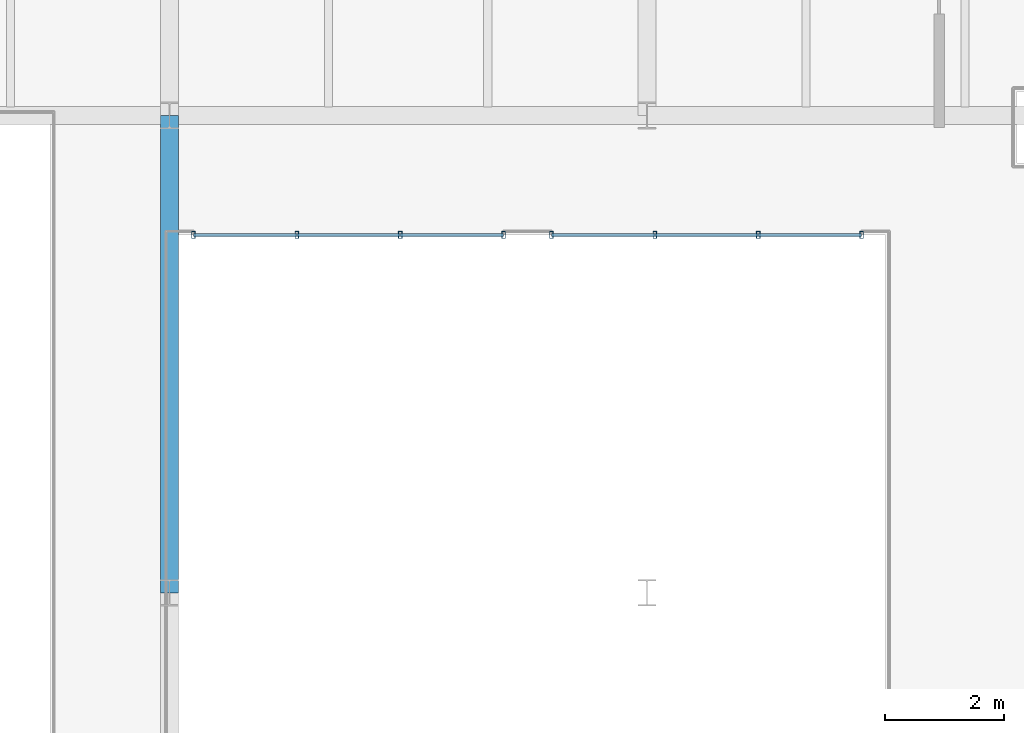
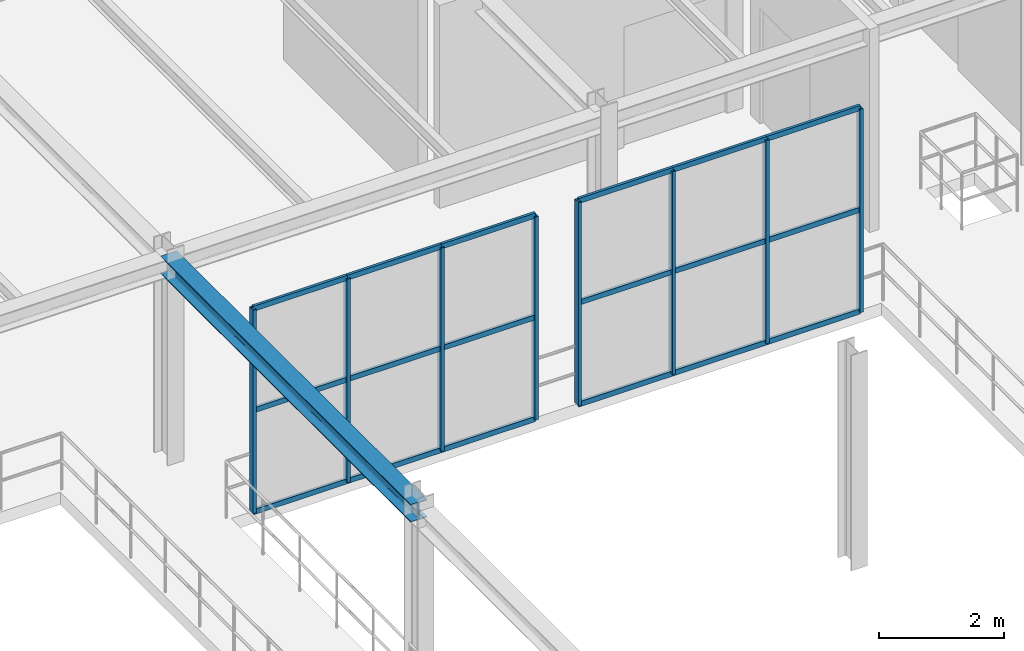
# One storey, part 65 of 124: 26 members, 1 beam, 2 elements without a shape of their own.
"""IFC4 building model written with IfcOpenShell, lengths in metres."""

from ifc_helpers import new_model, si_unit, direction, frame, origin, origin_2d, place, context, subcontext, project, spatial, hollow_rectangle, i_section, extrude, material, material_profile, profile_set, type_object, element, aggregate, save


model = new_model("IFC4")

# Units and contexts
model_context = context("Model", 3, precision=1e-05, world=origin(), true_north=direction((0.0, 1.0)))
body_context = subcontext(model_context, "Body", "Model", "MODEL_VIEW")
ifc_project = project(units=[si_unit("LENGTHUNIT", "METRE"), si_unit("AREAUNIT", "SQUARE_METRE"), si_unit("VOLUMEUNIT", "CUBIC_METRE"), si_unit("PLANEANGLEUNIT", "RADIAN"), si_unit("MASSUNIT", "GRAM", prefix="KILO")], contexts=[model_context])

# Site, building, storey
site_placement = place(None, origin())
site = spatial("IfcSite", under=ifc_project, at=site_placement, CompositionType="ELEMENT")
building_placement = place(site_placement, origin())
building = spatial("IfcBuilding", under=site, at=building_placement, Name="Sundkrona Museum", CompositionType="ELEMENT")
storey_placement = place(building_placement, frame((0.0, 0.0, 17.60009765625)))
storey = spatial("IfcBuildingStorey", under=building, at=storey_placement, Name="L03", CompositionType="ELEMENT", Elevation=17.60009765625)

# Beam
ifc_material_1 = material(Name="Steel S355J2", Category="steel")
ifc_material_profile_1 = material_profile(ifc_material_1, i_section(OverallWidth=0.300048828125, OverallDepth=0.35009765625, WebThickness=0.010009765625, FlangeThickness=0.017578125, FilletRadius=0.027099609375, at=origin_2d()), Name="HEA 360")
ifc_profile_set_1 = profile_set([ifc_material_profile_1], Name="Steel S355J2")
beam_type = type_object("IfcBeamType", Name="B-HEA360", PredefinedType="BEAM", material=ifc_profile_set_1)
beam_placement = place(storey_placement, frame((136.0, 24.0, 3.784912109375), z_axis=(0.0, 1.0, 0.0), x_axis=(-1.0, 0.0, 0.0)))
element("IfcBeam", 1, at=beam_placement, inside=storey, type_object=beam_type, Name="L03 Girder Y-1635", PredefinedType="BEAM", context=body_context, shape_type="SweptSolid", body=[
    extrude(i_section(OverallWidth=0.300048828125, OverallDepth=0.35009765625, WebThickness=0.010009765625, FlangeThickness=0.017578125, FilletRadius=0.027099609375, at=origin_2d()), origin(), (0.0, 0.0, 1.0), 8.0),
])

# Curtain wall, members
ifc_material_2 = material(Name="Unitised Aluminium-Steel and Ceramic-Clad Curtain Walling", Category="steel")
curtain_wall_type = type_object("IfcCurtainWallType", Name="CW-SC-52x38", PredefinedType="NOTDEFINED", material=ifc_material_2)
curtain_wall_1_placement = place(storey_placement, origin())
curtain_wall_1 = element("IfcCurtainWall", 2, at=curtain_wall_1_placement, inside=storey, type_object=curtain_wall_type, Name="L03 Curtain Wall CW-L03-010", PredefinedType="NOTDEFINED")
ifc_material_3 = material(Name="Aluminium EN AW-6060 T66", Category="aluminium")
ifc_material_profile_2 = material_profile(ifc_material_3, hollow_rectangle(XDim=0.06005859375, YDim=0.1201171875, WallThickness=0.0048828125, at=origin_2d()), Name="RHS 120x60x5.0")
ifc_profile_set_2 = profile_set([ifc_material_profile_2], Name="Aluminium EN AW-6060 T66")
member_type_1 = type_object("IfcMemberType", Name="ML-120", PredefinedType="MULLION", material=ifc_profile_set_2)
member_1_placement = place(storey_placement, frame((136.39990234375, 30.0, -0.004150390625), z_axis=(0.0, 0.0, 1.0), x_axis=(1.0, 0.0, 0.0)))
member_1 = element("IfcMember", 3, at=member_1_placement, type_object=member_type_1, Name="CW-L03-010 Mullion 01", PredefinedType="MULLION", context=body_context, shape_type="SweptSolid", body=[
    extrude(hollow_rectangle(XDim=0.06005859375, YDim=0.1201171875, WallThickness=0.0048828125, at=origin_2d()), origin(), (0.0, 0.0, 1.0), 3.968017578125),
])
member_2_placement = place(storey_placement, frame((138.13330078125, 30.0, -0.004150390625), z_axis=(0.0, 0.0, 1.0), x_axis=(1.0, 0.0, 0.0)))
member_2 = element("IfcMember", 4, at=member_2_placement, type_object=member_type_1, Name="CW-L03-010 Mullion 02", PredefinedType="MULLION", context=body_context, shape_type="SweptSolid", body=[
    extrude(hollow_rectangle(XDim=0.06005859375, YDim=0.1201171875, WallThickness=0.0048828125, at=origin_2d()), origin(), (0.0, 0.0, 1.0), 3.968017578125),
])
member_3_placement = place(storey_placement, frame((139.86669921875, 30.0, -0.004150390625), z_axis=(0.0, 0.0, 1.0), x_axis=(1.0, 0.0, 0.0)))
member_3 = element("IfcMember", 5, at=member_3_placement, type_object=member_type_1, Name="CW-L03-010 Mullion 03", PredefinedType="MULLION", context=body_context, shape_type="SweptSolid", body=[
    extrude(hollow_rectangle(XDim=0.06005859375, YDim=0.1201171875, WallThickness=0.0048828125, at=origin_2d()), origin(), (0.0, 0.0, 1.0), 3.968017578125),
])
member_4_placement = place(storey_placement, frame((141.60009765625, 30.0, -0.004150390625), z_axis=(0.0, 0.0, 1.0), x_axis=(1.0, 0.0, 0.0)))
member_4 = element("IfcMember", 6, at=member_4_placement, type_object=member_type_1, Name="CW-L03-010 Mullion 04", PredefinedType="MULLION", context=body_context, shape_type="SweptSolid", body=[
    extrude(hollow_rectangle(XDim=0.06005859375, YDim=0.1201171875, WallThickness=0.0048828125, at=origin_2d()), origin(), (0.0, 0.0, 1.0), 3.968017578125),
])

curtain_wall_2_placement = place(storey_placement, origin())
curtain_wall_2 = element("IfcCurtainWall", 7, at=curtain_wall_2_placement, inside=storey, type_object=curtain_wall_type, Name="L03 Curtain Wall CW-L03-012", PredefinedType="NOTDEFINED")
member_5_placement = place(storey_placement, frame((142.39990234375, 30.0, -0.004150390625), z_axis=(0.0, 0.0, 1.0), x_axis=(1.0, 0.0, 0.0)))
member_5 = element("IfcMember", 8, at=member_5_placement, type_object=member_type_1, Name="CW-L03-012 Mullion 01", PredefinedType="MULLION", context=body_context, shape_type="SweptSolid", body=[
    extrude(hollow_rectangle(XDim=0.06005859375, YDim=0.1201171875, WallThickness=0.0048828125, at=origin_2d()), origin(), (0.0, 0.0, 1.0), 3.968017578125),
])
member_6_placement = place(storey_placement, frame((144.13330078125, 30.0, -0.004150390625), z_axis=(0.0, 0.0, 1.0), x_axis=(1.0, 0.0, 0.0)))
member_6 = element("IfcMember", 9, at=member_6_placement, type_object=member_type_1, Name="CW-L03-012 Mullion 02", PredefinedType="MULLION", context=body_context, shape_type="SweptSolid", body=[
    extrude(hollow_rectangle(XDim=0.06005859375, YDim=0.1201171875, WallThickness=0.0048828125, at=origin_2d()), origin(), (0.0, 0.0, 1.0), 3.968017578125),
])
member_7_placement = place(storey_placement, frame((145.86669921875, 30.0, -0.004150390625), z_axis=(0.0, 0.0, 1.0), x_axis=(1.0, 0.0, 0.0)))
member_7 = element("IfcMember", 10, at=member_7_placement, type_object=member_type_1, Name="CW-L03-012 Mullion 03", PredefinedType="MULLION", context=body_context, shape_type="SweptSolid", body=[
    extrude(hollow_rectangle(XDim=0.06005859375, YDim=0.1201171875, WallThickness=0.0048828125, at=origin_2d()), origin(), (0.0, 0.0, 1.0), 3.968017578125),
])
member_8_placement = place(storey_placement, frame((147.60009765625, 30.0, -0.004150390625), z_axis=(0.0, 0.0, 1.0), x_axis=(1.0, 0.0, 0.0)))
member_8 = element("IfcMember", 11, at=member_8_placement, type_object=member_type_1, Name="CW-L03-012 Mullion 04", PredefinedType="MULLION", context=body_context, shape_type="SweptSolid", body=[
    extrude(hollow_rectangle(XDim=0.06005859375, YDim=0.1201171875, WallThickness=0.0048828125, at=origin_2d()), origin(), (0.0, 0.0, 1.0), 3.968017578125),
])

# Member
ifc_material_profile_3 = material_profile(ifc_material_3, hollow_rectangle(XDim=0.050048828125, YDim=0.10009765625, WallThickness=0.0048828125, at=origin_2d()), Name="RHS 100x50x5.0")
ifc_profile_set_3 = profile_set([ifc_material_profile_3], Name="Aluminium EN AW-6060 T66")
member_type_2 = type_object("IfcMemberType", Name="TR-100", PredefinedType="USERDEFINED", material=ifc_profile_set_3)
member_9_placement = place(storey_placement, frame((136.39990234375, 30.0, -0.004150390625), z_axis=(1.0, 0.0, 0.0), x_axis=(0.0, 1.0, 0.0)))
member_9 = element("IfcMember", 12, at=member_9_placement, type_object=member_type_2, Name="CW-L03-010 Transom 01", ObjectType="TRANSOM", PredefinedType="USERDEFINED", context=body_context, shape_type="SweptSolid", body=[
    extrude(hollow_rectangle(XDim=0.050048828125, YDim=0.10009765625, WallThickness=0.0048828125, at=origin_2d()), origin(), (0.0, 0.0, 1.0), 1.7333984375),
])

member_10_placement = place(storey_placement, frame((136.39990234375, 30.0, 1.97998046875), z_axis=(1.0, 0.0, 0.0), x_axis=(0.0, 1.0, 0.0)))
member_10 = element("IfcMember", 13, at=member_10_placement, type_object=member_type_2, Name="CW-L03-010 Transom 02", ObjectType="TRANSOM", PredefinedType="USERDEFINED", context=body_context, shape_type="SweptSolid", body=[
    extrude(hollow_rectangle(XDim=0.050048828125, YDim=0.10009765625, WallThickness=0.0048828125, at=origin_2d()), origin(), (0.0, 0.0, 1.0), 1.7333984375),
])

member_11_placement = place(storey_placement, frame((136.39990234375, 30.0, 3.9638671875), z_axis=(1.0, 0.0, 0.0), x_axis=(0.0, 1.0, 0.0)))
member_11 = element("IfcMember", 14, at=member_11_placement, type_object=member_type_2, Name="CW-L03-010 Transom 03", ObjectType="TRANSOM", PredefinedType="USERDEFINED", context=body_context, shape_type="SweptSolid", body=[
    extrude(hollow_rectangle(XDim=0.050048828125, YDim=0.10009765625, WallThickness=0.0048828125, at=origin_2d()), origin(), (0.0, 0.0, 1.0), 1.7333984375),
])

member_12_placement = place(storey_placement, frame((138.13330078125, 30.0, -0.004150390625), z_axis=(1.0, 0.0, 0.0), x_axis=(0.0, 1.0, 0.0)))
member_12 = element("IfcMember", 15, at=member_12_placement, type_object=member_type_2, Name="CW-L03-010 Transom 04", ObjectType="TRANSOM", PredefinedType="USERDEFINED", context=body_context, shape_type="SweptSolid", body=[
    extrude(hollow_rectangle(XDim=0.050048828125, YDim=0.10009765625, WallThickness=0.0048828125, at=origin_2d()), origin(), (0.0, 0.0, 1.0), 1.7333984375),
])

member_13_placement = place(storey_placement, frame((138.13330078125, 30.0, 1.97998046875), z_axis=(1.0, 0.0, 0.0), x_axis=(0.0, 1.0, 0.0)))
member_13 = element("IfcMember", 16, at=member_13_placement, type_object=member_type_2, Name="CW-L03-010 Transom 05", ObjectType="TRANSOM", PredefinedType="USERDEFINED", context=body_context, shape_type="SweptSolid", body=[
    extrude(hollow_rectangle(XDim=0.050048828125, YDim=0.10009765625, WallThickness=0.0048828125, at=origin_2d()), origin(), (0.0, 0.0, 1.0), 1.7333984375),
])

member_14_placement = place(storey_placement, frame((138.13330078125, 30.0, 3.9638671875), z_axis=(1.0, 0.0, 0.0), x_axis=(0.0, 1.0, 0.0)))
member_14 = element("IfcMember", 17, at=member_14_placement, type_object=member_type_2, Name="CW-L03-010 Transom 06", ObjectType="TRANSOM", PredefinedType="USERDEFINED", context=body_context, shape_type="SweptSolid", body=[
    extrude(hollow_rectangle(XDim=0.050048828125, YDim=0.10009765625, WallThickness=0.0048828125, at=origin_2d()), origin(), (0.0, 0.0, 1.0), 1.7333984375),
])

member_15_placement = place(storey_placement, frame((139.86669921875, 30.0, -0.004150390625), z_axis=(1.0, 0.0, 0.0), x_axis=(0.0, 1.0, 0.0)))
member_15 = element("IfcMember", 18, at=member_15_placement, type_object=member_type_2, Name="CW-L03-010 Transom 07", ObjectType="TRANSOM", PredefinedType="USERDEFINED", context=body_context, shape_type="SweptSolid", body=[
    extrude(hollow_rectangle(XDim=0.050048828125, YDim=0.10009765625, WallThickness=0.0048828125, at=origin_2d()), origin(), (0.0, 0.0, 1.0), 1.7333984375),
])

member_16_placement = place(storey_placement, frame((139.86669921875, 30.0, 1.97998046875), z_axis=(1.0, 0.0, 0.0), x_axis=(0.0, 1.0, 0.0)))
member_16 = element("IfcMember", 19, at=member_16_placement, type_object=member_type_2, Name="CW-L03-010 Transom 08", ObjectType="TRANSOM", PredefinedType="USERDEFINED", context=body_context, shape_type="SweptSolid", body=[
    extrude(hollow_rectangle(XDim=0.050048828125, YDim=0.10009765625, WallThickness=0.0048828125, at=origin_2d()), origin(), (0.0, 0.0, 1.0), 1.7333984375),
])

member_17_placement = place(storey_placement, frame((139.86669921875, 30.0, 3.9638671875), z_axis=(1.0, 0.0, 0.0), x_axis=(0.0, 1.0, 0.0)))
member_17 = element("IfcMember", 20, at=member_17_placement, type_object=member_type_2, Name="CW-L03-010 Transom 09", ObjectType="TRANSOM", PredefinedType="USERDEFINED", context=body_context, shape_type="SweptSolid", body=[
    extrude(hollow_rectangle(XDim=0.050048828125, YDim=0.10009765625, WallThickness=0.0048828125, at=origin_2d()), origin(), (0.0, 0.0, 1.0), 1.7333984375),
])

aggregate(curtain_wall_1, [member_1, member_2, member_3, member_4, member_9, member_10, member_11, member_12, member_13, member_14, member_15, member_16, member_17])

member_18_placement = place(storey_placement, frame((142.39990234375, 30.0, -0.004150390625), z_axis=(1.0, 0.0, 0.0), x_axis=(0.0, 1.0, 0.0)))
member_18 = element("IfcMember", 21, at=member_18_placement, type_object=member_type_2, Name="CW-L03-012 Transom 01", ObjectType="TRANSOM", PredefinedType="USERDEFINED", context=body_context, shape_type="SweptSolid", body=[
    extrude(hollow_rectangle(XDim=0.050048828125, YDim=0.10009765625, WallThickness=0.0048828125, at=origin_2d()), origin(), (0.0, 0.0, 1.0), 1.7333984375),
])

member_19_placement = place(storey_placement, frame((142.39990234375, 30.0, 1.97998046875), z_axis=(1.0, 0.0, 0.0), x_axis=(0.0, 1.0, 0.0)))
member_19 = element("IfcMember", 22, at=member_19_placement, type_object=member_type_2, Name="CW-L03-012 Transom 02", ObjectType="TRANSOM", PredefinedType="USERDEFINED", context=body_context, shape_type="SweptSolid", body=[
    extrude(hollow_rectangle(XDim=0.050048828125, YDim=0.10009765625, WallThickness=0.0048828125, at=origin_2d()), origin(), (0.0, 0.0, 1.0), 1.7333984375),
])

member_20_placement = place(storey_placement, frame((142.39990234375, 30.0, 3.9638671875), z_axis=(1.0, 0.0, 0.0), x_axis=(0.0, 1.0, 0.0)))
member_20 = element("IfcMember", 23, at=member_20_placement, type_object=member_type_2, Name="CW-L03-012 Transom 03", ObjectType="TRANSOM", PredefinedType="USERDEFINED", context=body_context, shape_type="SweptSolid", body=[
    extrude(hollow_rectangle(XDim=0.050048828125, YDim=0.10009765625, WallThickness=0.0048828125, at=origin_2d()), origin(), (0.0, 0.0, 1.0), 1.7333984375),
])

member_21_placement = place(storey_placement, frame((144.13330078125, 30.0, -0.004150390625), z_axis=(1.0, 0.0, 0.0), x_axis=(0.0, 1.0, 0.0)))
member_21 = element("IfcMember", 24, at=member_21_placement, type_object=member_type_2, Name="CW-L03-012 Transom 04", ObjectType="TRANSOM", PredefinedType="USERDEFINED", context=body_context, shape_type="SweptSolid", body=[
    extrude(hollow_rectangle(XDim=0.050048828125, YDim=0.10009765625, WallThickness=0.0048828125, at=origin_2d()), origin(), (0.0, 0.0, 1.0), 1.7333984375),
])

member_22_placement = place(storey_placement, frame((144.13330078125, 30.0, 1.97998046875), z_axis=(1.0, 0.0, 0.0), x_axis=(0.0, 1.0, 0.0)))
member_22 = element("IfcMember", 25, at=member_22_placement, type_object=member_type_2, Name="CW-L03-012 Transom 05", ObjectType="TRANSOM", PredefinedType="USERDEFINED", context=body_context, shape_type="SweptSolid", body=[
    extrude(hollow_rectangle(XDim=0.050048828125, YDim=0.10009765625, WallThickness=0.0048828125, at=origin_2d()), origin(), (0.0, 0.0, 1.0), 1.7333984375),
])

member_23_placement = place(storey_placement, frame((144.13330078125, 30.0, 3.9638671875), z_axis=(1.0, 0.0, 0.0), x_axis=(0.0, 1.0, 0.0)))
member_23 = element("IfcMember", 26, at=member_23_placement, type_object=member_type_2, Name="CW-L03-012 Transom 06", ObjectType="TRANSOM", PredefinedType="USERDEFINED", context=body_context, shape_type="SweptSolid", body=[
    extrude(hollow_rectangle(XDim=0.050048828125, YDim=0.10009765625, WallThickness=0.0048828125, at=origin_2d()), origin(), (0.0, 0.0, 1.0), 1.7333984375),
])

member_24_placement = place(storey_placement, frame((145.86669921875, 30.0, -0.004150390625), z_axis=(1.0, 0.0, 0.0), x_axis=(0.0, 1.0, 0.0)))
member_24 = element("IfcMember", 27, at=member_24_placement, type_object=member_type_2, Name="CW-L03-012 Transom 07", ObjectType="TRANSOM", PredefinedType="USERDEFINED", context=body_context, shape_type="SweptSolid", body=[
    extrude(hollow_rectangle(XDim=0.050048828125, YDim=0.10009765625, WallThickness=0.0048828125, at=origin_2d()), origin(), (0.0, 0.0, 1.0), 1.7333984375),
])

member_25_placement = place(storey_placement, frame((145.86669921875, 30.0, 1.97998046875), z_axis=(1.0, 0.0, 0.0), x_axis=(0.0, 1.0, 0.0)))
member_25 = element("IfcMember", 28, at=member_25_placement, type_object=member_type_2, Name="CW-L03-012 Transom 08", ObjectType="TRANSOM", PredefinedType="USERDEFINED", context=body_context, shape_type="SweptSolid", body=[
    extrude(hollow_rectangle(XDim=0.050048828125, YDim=0.10009765625, WallThickness=0.0048828125, at=origin_2d()), origin(), (0.0, 0.0, 1.0), 1.7333984375),
])

member_26_placement = place(storey_placement, frame((145.86669921875, 30.0, 3.9638671875), z_axis=(1.0, 0.0, 0.0), x_axis=(0.0, 1.0, 0.0)))
member_26 = element("IfcMember", 29, at=member_26_placement, type_object=member_type_2, Name="CW-L03-012 Transom 09", ObjectType="TRANSOM", PredefinedType="USERDEFINED", context=body_context, shape_type="SweptSolid", body=[
    extrude(hollow_rectangle(XDim=0.050048828125, YDim=0.10009765625, WallThickness=0.0048828125, at=origin_2d()), origin(), (0.0, 0.0, 1.0), 1.7333984375),
])

aggregate(curtain_wall_2, [member_5, member_6, member_7, member_8, member_18, member_19, member_20, member_21, member_22, member_23, member_24, member_25, member_26])

save(model, "model.ifc")
